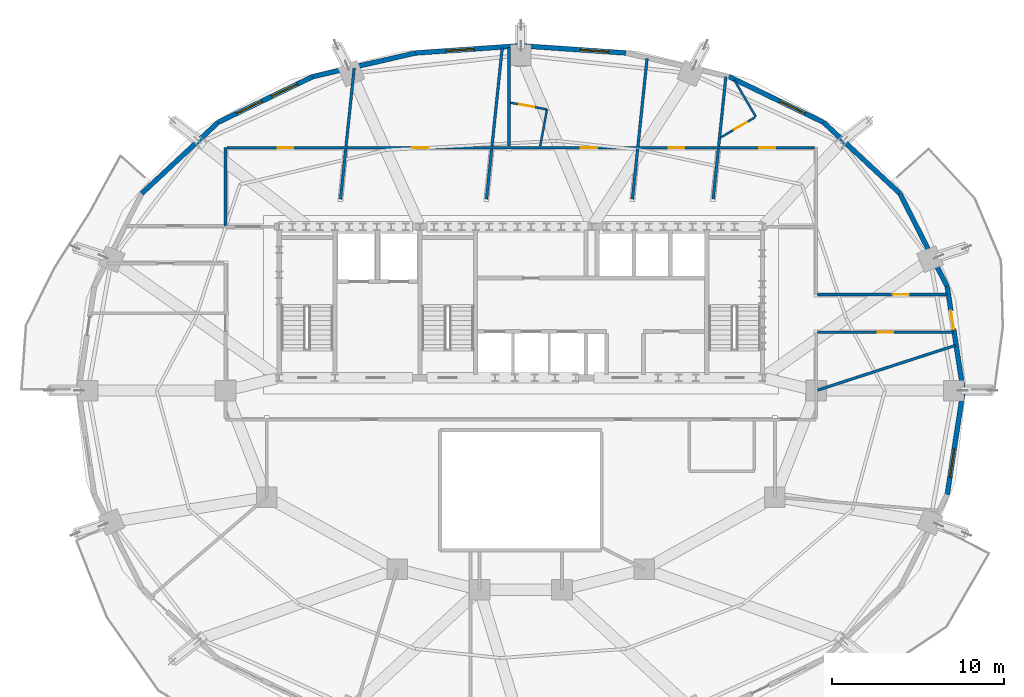
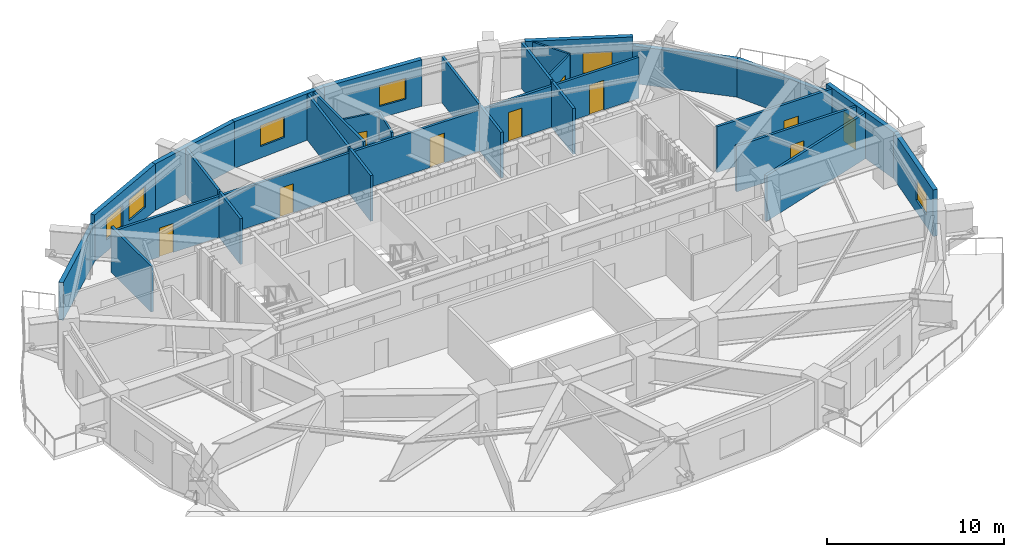
# One storey, part 9 of 14: 28 walls, 10 doors, 6 windows, 16 openings.
"""IFC4 building model written with IfcOpenShell, lengths in metres."""

from ifc_helpers import new_model, si_unit, direction, frame, frame_2d, origin, place, context, subcontext, project, spatial, rectangle, extrude, material, layer, layer_set, type_object, element, fill, save


model = new_model("IFC4")

# Units and contexts
model_context = context("Model", 3, precision=1e-05, world=origin(), true_north=direction((0.0, 1.0)))
body_context = subcontext(model_context, "Body", "Model", "MODEL_VIEW")
ifc_project = project(units=[si_unit("LENGTHUNIT", "METRE"), si_unit("AREAUNIT", "SQUARE_METRE"), si_unit("VOLUMEUNIT", "CUBIC_METRE"), si_unit("PLANEANGLEUNIT", "RADIAN"), si_unit("MASSUNIT", "GRAM", prefix="KILO")], contexts=[model_context])

# Site, building, storey
site_placement = place(None, origin())
site = spatial("IfcSite", under=ifc_project, at=site_placement, CompositionType="ELEMENT")
building_placement = place(site_placement, origin())
building = spatial("IfcBuilding", under=site, at=building_placement, Name="Haldorwick Loom Tower", CompositionType="ELEMENT")
storey_placement = place(building_placement, frame((0.0, 0.0, 182.050048828125)))
storey = spatial("IfcBuildingStorey", under=building, at=storey_placement, Name="L49", CompositionType="ELEMENT", Elevation=182.050048828125)

# Wall, opening, door
ifc_material_1 = material(Name="Pressed Clay Face Brick and Insulated Masonry Backup Assembly", Category="masonry")
ifc_layer_1 = layer(ifc_material_1, 0.280029296875, Name="Pressed Clay Face Brick and Insulated Masonry Backup Assembly", Category="masonry")
ifc_layer_set_1 = layer_set([ifc_layer_1], Name="Pressed Clay Face Brick and Insulated Masonry Backup Assembly")
wall_type_1 = type_object("IfcWallType", Name="ARC-WL-EXT280", PredefinedType="STANDARD", material=ifc_layer_set_1)
wall_1_placement = place(storey_placement, frame((61.757080078125, 26.0, 0.0), z_axis=(0.0, 0.0, 1.0), x_axis=(-0.150544467684, 0.988603238539, 0.0)))
wall_1 = element("IfcWall", 1, at=wall_1_placement, inside=storey, type_object=wall_type_1, Name="L49 Brick Pier and Spandrel Wall 1", PredefinedType="STANDARD", context=body_context, shape_type="SweptSolid", body=[
    extrude(rectangle(XDim=6.125244140625, YDim=0.280029296875, at=frame_2d((3.0625, 0.0))), origin(), (0.0, 0.0, 1.0), 3.2099609375),
])
opening_1_placement = place(wall_1_placement, frame((3.62890625, 0.0, 0.0)))
opening_1 = element("IfcOpeningElement", 2, at=opening_1_placement, cuts=wall_1, Name="Opening D-BL11", PredefinedType="OPENING", context=body_context, shape_type="SweptSolid", body=[
    extrude(rectangle(XDim=1.080078125, YDim=2.0400390625, at=frame_2d((0.5400390625, 1.02001953125))), frame((0.0, 0.14990234375, 0.0), z_axis=(0.0, -1.0, 0.0), x_axis=(1.0, 0.0, 0.0)), (0.0, 0.0, 1.0), 0.300048828125),
])
ifc_material_2 = material(Name="Thermally Broken Anodized Aluminium Curtain Wall Framing", Category="aluminium")
door_type_1 = type_object("IfcDoorType", Name="ARC-DR-BAL110", OperationType="NOTDEFINED", PredefinedType="DOOR", material=ifc_material_2)
door_1_placement = place(opening_1_placement, origin())
door_1 = element("IfcDoor", 3, at=door_1_placement, inside=storey, type_object=door_type_1, Name="L49 Outdoor Terrace Door SLB-L49-BAL_ENE", OperationType="SINGLE_SWING_LEFT", OverallHeight=2.0400390625, OverallWidth=1.080078125, PredefinedType="DOOR", context=body_context, shape_type="SweptSolid", body=[
    extrude(rectangle(XDim=1.080078125, YDim=2.0400390625, at=frame_2d((0.5400390625, 1.02001953125))), frame((0.0, 0.02490234375, 0.0), z_axis=(0.0, -1.0, 0.0), x_axis=(1.0, 0.0, 0.0)), (0.0, 0.0, 1.0), 0.050048828125),
])
fill(opening_1, door_1)

# Walls
wall_2_placement = place(storey_placement, frame((60.8349609375, 32.055419921875, 0.0), z_axis=(0.0, 0.0, 1.0), x_axis=(-0.453172129629, 0.89142303141, 0.0)))
element("IfcWall", 4, at=wall_2_placement, inside=storey, type_object=wall_type_1, Name="L49 Brick Pier and Spandrel Wall 2", PredefinedType="STANDARD", context=body_context, shape_type="SweptSolid", body=[
    extrude(rectangle(XDim=6.086669921875, YDim=0.280029296875, at=frame_2d((3.04345703125, 0.0))), origin(), (0.0, 0.0, 1.0), 2.600830078125),
])
wall_3_placement = place(storey_placement, frame((58.07666015625, 37.481201171875, 0.0), z_axis=(0.0, 0.0, 1.0), x_axis=(-0.732001571644, 0.681302942244, 0.0)))
element("IfcWall", 5, at=wall_3_placement, inside=storey, type_object=wall_type_1, Name="L49 Brick Pier and Spandrel Wall 3", PredefinedType="STANDARD", context=body_context, shape_type="SweptSolid", body=[
    extrude(rectangle(XDim=6.0869140625, YDim=0.280029296875, at=frame_2d((3.04345703125, 0.0))), origin(), (0.0, 0.0, 1.0), 2.600830078125),
])

# Wall, opening, window
wall_4_placement = place(storey_placement, frame((53.62109375, 41.628173828125, 0.0), z_axis=(0.0, 0.0, 1.0), x_axis=(-0.900472429216, 0.43491309962, 0.0)))
wall_4 = element("IfcWall", 6, at=wall_4_placement, inside=storey, type_object=wall_type_1, Name="L49 Brick Pier and Spandrel Wall 4", PredefinedType="STANDARD", context=body_context, shape_type="SweptSolid", body=[
    extrude(rectangle(XDim=6.1181640625, YDim=0.280029296875, at=frame_2d((3.05908203125, 0.0))), origin(), (0.0, 0.0, 1.0), 3.2099609375),
])
opening_2_placement = place(wall_4_placement, frame((1.181884765625, 0.0, 0.800048828125)))
opening_2 = element("IfcOpeningElement", 7, at=opening_2_placement, cuts=wall_4, Name="Opening W-01B", PredefinedType="OPENING", context=body_context, shape_type="SweptSolid", body=[
    extrude(rectangle(XDim=1.64990234375, YDim=1.449951171875, at=frame_2d((0.824951171875, 0.72509765625))), frame((0.0, 0.14990234375, 0.0), z_axis=(0.0, -1.0, 0.0), x_axis=(1.0, 0.0, 0.0)), (0.0, 0.0, 1.0), 0.300048828125),
])
ifc_material_3 = material(Name="Triple-Glazed Low-E Argon Insulated Glazing Unit", Category="glass")
window_type = type_object("IfcWindowType", Name="ARC-WIN-W165", PartitioningType="SINGLE_PANEL", PredefinedType="WINDOW", material=ifc_material_3)
window_1_placement = place(opening_2_placement, origin())
window_1 = element("IfcWindow", 8, at=window_1_placement, inside=storey, type_object=window_type, Name="L49 Deep-Set Zone 7A Window 4", OverallHeight=1.449951171875, OverallWidth=1.64990234375, PartitioningType="SINGLE_PANEL", PredefinedType="WINDOW", context=body_context, shape_type="SweptSolid", body=[
    extrude(rectangle(XDim=1.64990234375, YDim=1.449951171875, at=frame_2d((0.824951171875, 0.72509765625))), frame((0.0, 0.030029296875, 0.0), z_axis=(0.0, -1.0, 0.0), x_axis=(1.0, 0.0, 0.0)), (0.0, 0.0, 1.0), 0.06005859375),
])
fill(opening_2, window_1)

wall_5_placement = place(storey_placement, frame((42.12890625, 45.6640625, 0.0), z_axis=(0.0, 0.0, 1.0), x_axis=(-0.997652942988, 0.068473391522, 0.0)))
wall_5 = element("IfcWall", 9, at=wall_5_placement, inside=storey, type_object=wall_type_1, Name="L49 Brick Pier and Spandrel Wall 6", PredefinedType="STANDARD", context=body_context, shape_type="SweptSolid", body=[
    extrude(rectangle(XDim=6.143310546875, YDim=0.280029296875, at=frame_2d((3.07177734375, 0.0))), origin(), (0.0, 0.0, 1.0), 3.2099609375),
])
opening_3_placement = place(wall_5_placement, frame((1.01806640625, 0.0, 0.800048828125)))
opening_3 = element("IfcOpeningElement", 10, at=opening_3_placement, cuts=wall_5, Name="Opening W-01B", PredefinedType="OPENING", context=body_context, shape_type="SweptSolid", body=[
    extrude(rectangle(XDim=1.64990234375, YDim=1.449951171875, at=frame_2d((0.824951171875, 0.72509765625))), frame((0.0, 0.14990234375, 0.0), z_axis=(0.0, -1.0, 0.0), x_axis=(1.0, 0.0, 0.0)), (0.0, 0.0, 1.0), 0.300048828125),
])
window_2_placement = place(opening_3_placement, origin())
window_2 = element("IfcWindow", 11, at=window_2_placement, inside=storey, type_object=window_type, Name="L49 Deep-Set Zone 7A Window 6", OverallHeight=1.449951171875, OverallWidth=1.64990234375, PartitioningType="SINGLE_PANEL", PredefinedType="WINDOW", context=body_context, shape_type="SweptSolid", body=[
    extrude(rectangle(XDim=1.64990234375, YDim=1.449951171875, at=frame_2d((0.824951171875, 0.72509765625))), frame((0.0, 0.030029296875, 0.0), z_axis=(0.0, -1.0, 0.0), x_axis=(1.0, 0.0, 0.0)), (0.0, 0.0, 1.0), 0.06005859375),
])
fill(opening_3, window_2)

wall_6_placement = place(storey_placement, frame((36.0, 46.084716796875, 0.0), z_axis=(0.0, 0.0, 1.0), x_axis=(-0.997652942988, -0.068473391522, 0.0)))
wall_6 = element("IfcWall", 12, at=wall_6_placement, inside=storey, type_object=wall_type_1, Name="L49 Brick Pier and Spandrel Wall 7", PredefinedType="STANDARD", context=body_context, shape_type="SweptSolid", body=[
    extrude(rectangle(XDim=6.143310546875, YDim=0.280029296875, at=frame_2d((3.07177734375, 0.0))), origin(), (0.0, 0.0, 1.0), 3.2099609375),
])
opening_4_placement = place(wall_6_placement, frame((2.723388671875, 0.0, 0.800048828125)))
opening_4 = element("IfcOpeningElement", 13, at=opening_4_placement, cuts=wall_6, Name="Opening W-01B", PredefinedType="OPENING", context=body_context, shape_type="SweptSolid", body=[
    extrude(rectangle(XDim=1.64990234375, YDim=1.449951171875, at=frame_2d((0.824951171875, 0.72509765625))), frame((0.0, 0.14990234375, 0.0), z_axis=(0.0, -1.0, 0.0), x_axis=(1.0, 0.0, 0.0)), (0.0, 0.0, 1.0), 0.300048828125),
])
window_3_placement = place(opening_4_placement, origin())
window_3 = element("IfcWindow", 14, at=window_3_placement, inside=storey, type_object=window_type, Name="L49 Deep-Set Zone 7A Window 7", OverallHeight=1.449951171875, OverallWidth=1.64990234375, PartitioningType="SINGLE_PANEL", PredefinedType="WINDOW", context=body_context, shape_type="SweptSolid", body=[
    extrude(rectangle(XDim=1.64990234375, YDim=1.449951171875, at=frame_2d((0.824951171875, 0.72509765625))), frame((0.0, 0.030029296875, 0.0), z_axis=(0.0, -1.0, 0.0), x_axis=(1.0, 0.0, 0.0)), (0.0, 0.0, 1.0), 0.06005859375),
])
fill(opening_4, window_3)

# Wall
wall_7_placement = place(storey_placement, frame((29.87109375, 45.6640625, 0.0), z_axis=(0.0, 0.0, 1.0), x_axis=(-0.974593223547, -0.223982250674, 0.0)))
element("IfcWall", 15, at=wall_7_placement, inside=storey, type_object=wall_type_1, Name="L49 Brick Pier and Spandrel Wall 8", PredefinedType="STANDARD", context=body_context, shape_type="SweptSolid", body=[
    extrude(rectangle(XDim=6.138916015625, YDim=0.280029296875, at=frame_2d((3.0693359375, 0.0))), origin(), (0.0, 0.0, 1.0), 3.2099609375),
])

# Wall, openings, windows
wall_8_placement = place(storey_placement, frame((23.88818359375, 44.2890625, 0.0), z_axis=(0.0, 0.0, 1.0), x_axis=(-0.900479976617, -0.434897472644, 0.0)))
wall_8 = element("IfcWall", 16, at=wall_8_placement, inside=storey, type_object=wall_type_1, Name="L49 Brick Pier and Spandrel Wall 9", PredefinedType="STANDARD", context=body_context, shape_type="SweptSolid", body=[
    extrude(rectangle(XDim=6.118408203125, YDim=0.280029296875, at=frame_2d((3.05908203125, 0.0))), origin(), (0.0, 0.0, 1.0), 3.2099609375),
])
opening_5_placement = place(wall_8_placement, frame((1.010498046875, 0.0, 0.800048828125)))
opening_5 = element("IfcOpeningElement", 17, at=opening_5_placement, cuts=wall_8, Name="Opening W-01B", PredefinedType="OPENING", context=body_context, shape_type="SweptSolid", body=[
    extrude(rectangle(XDim=1.64990234375, YDim=1.449951171875, at=frame_2d((0.824951171875, 0.72509765625))), frame((0.0, 0.14990234375, 0.0), z_axis=(0.0, -1.0, 0.0), x_axis=(1.0, 0.0, 0.0)), (0.0, 0.0, 1.0), 0.300048828125),
])
opening_6_placement = place(wall_8_placement, frame((3.28662109375, 0.0, 0.800048828125)))
opening_6 = element("IfcOpeningElement", 18, at=opening_6_placement, cuts=wall_8, Name="Opening W-01B", PredefinedType="OPENING", context=body_context, shape_type="SweptSolid", body=[
    extrude(rectangle(XDim=1.64990234375, YDim=1.449951171875, at=frame_2d((0.824951171875, 0.72509765625))), frame((0.0, 0.14990234375, 0.0), z_axis=(0.0, -1.0, 0.0), x_axis=(1.0, 0.0, 0.0)), (0.0, 0.0, 1.0), 0.300048828125),
])
window_4_placement = place(opening_5_placement, origin())
window_4 = element("IfcWindow", 19, at=window_4_placement, inside=storey, type_object=window_type, Name="L49 Deep-Set Zone 7A Window 9", OverallHeight=1.449951171875, OverallWidth=1.64990234375, PartitioningType="SINGLE_PANEL", PredefinedType="WINDOW", context=body_context, shape_type="SweptSolid", body=[
    extrude(rectangle(XDim=1.64990234375, YDim=1.449951171875, at=frame_2d((0.824951171875, 0.72509765625))), frame((0.0, 0.030029296875, 0.0), z_axis=(0.0, -1.0, 0.0), x_axis=(1.0, 0.0, 0.0)), (0.0, 0.0, 1.0), 0.06005859375),
])
fill(opening_5, window_4)
window_5_placement = place(opening_6_placement, origin())
window_5 = element("IfcWindow", 20, at=window_5_placement, inside=storey, type_object=window_type, Name="L49 Deep-Set Zone 7A Window 9", OverallHeight=1.449951171875, OverallWidth=1.64990234375, PartitioningType="SINGLE_PANEL", PredefinedType="WINDOW", context=body_context, shape_type="SweptSolid", body=[
    extrude(rectangle(XDim=1.64990234375, YDim=1.449951171875, at=frame_2d((0.824951171875, 0.72509765625))), frame((0.0, 0.030029296875, 0.0), z_axis=(0.0, -1.0, 0.0), x_axis=(1.0, 0.0, 0.0)), (0.0, 0.0, 1.0), 0.06005859375),
])
fill(opening_6, window_5)

# Wall
wall_9_placement = place(storey_placement, frame((18.378662109375, 41.628173828125, 0.0), z_axis=(0.0, 0.0, 1.0), x_axis=(-0.731982952968, -0.681322945866, 0.0)))
element("IfcWall", 21, at=wall_9_placement, inside=storey, type_object=wall_type_1, Name="L49 Brick Pier and Spandrel Wall 10", PredefinedType="STANDARD", context=body_context, shape_type="SweptSolid", body=[
    extrude(rectangle(XDim=6.086669921875, YDim=0.280029296875, at=frame_2d((3.04345703125, 0.0))), origin(), (0.0, 0.0, 1.0), 2.600830078125),
])

# Wall, opening, window
wall_10_placement = place(storey_placement, frame((60.8349609375, 19.944580078125, 0.0), z_axis=(0.0, 0.0, 1.0), x_axis=(0.150544467684, 0.988603238539, 0.0)))
wall_10 = element("IfcWall", 22, at=wall_10_placement, inside=storey, type_object=wall_type_1, Name="L49 Brick Pier and Spandrel Wall 24", PredefinedType="STANDARD", context=body_context, shape_type="SweptSolid", body=[
    extrude(rectangle(XDim=6.125244140625, YDim=0.280029296875, at=frame_2d((3.0625, 0.0))), origin(), (0.0, 0.0, 1.0), 3.2099609375),
])
opening_7_placement = place(wall_10_placement, frame((1.0126953125, 0.0, 0.800048828125)))
opening_7 = element("IfcOpeningElement", 23, at=opening_7_placement, cuts=wall_10, Name="Opening W-01B", PredefinedType="OPENING", context=body_context, shape_type="SweptSolid", body=[
    extrude(rectangle(XDim=1.64990234375, YDim=1.449951171875, at=frame_2d((0.824951171875, 0.72509765625))), frame((0.0, 0.14990234375, 0.0), z_axis=(0.0, -1.0, 0.0), x_axis=(1.0, 0.0, 0.0)), (0.0, 0.0, 1.0), 0.300048828125),
])
window_6_placement = place(opening_7_placement, origin())
window_6 = element("IfcWindow", 24, at=window_6_placement, inside=storey, type_object=window_type, Name="L49 Deep-Set Zone 7A Window 24", OverallHeight=1.449951171875, OverallWidth=1.64990234375, PartitioningType="SINGLE_PANEL", PredefinedType="WINDOW", context=body_context, shape_type="SweptSolid", body=[
    extrude(rectangle(XDim=1.64990234375, YDim=1.449951171875, at=frame_2d((0.824951171875, 0.72509765625))), frame((0.0, 0.030029296875, 0.0), z_axis=(0.0, -1.0, 0.0), x_axis=(1.0, 0.0, 0.0)), (0.0, 0.0, 1.0), 0.06005859375),
])
fill(opening_7, window_6)

# Wall
ifc_material_4 = material(Name="Fire-Rated Type X Gypsum Stud Assembly EI 60")
ifc_layer_2 = layer(ifc_material_4, 0.159912109375, Name="Fire-Rated Type X Gypsum Stud Assembly EI 60")
ifc_layer_set_2 = layer_set([ifc_layer_2], Name="Fire-Rated Type X Gypsum Stud Assembly EI 60")
wall_type_2 = type_object("IfcWallType", Name="ARC-WL-FIRE160", PredefinedType="PARTITIONING", material=ifc_layer_set_2)
wall_11_placement = place(storey_placement, frame((18.800048828125, 35.60009765625, 0.0), z_axis=(0.0, 0.0, 1.0), x_axis=(0.0, 1.0, 0.0)))
element("IfcWall", 25, at=wall_11_placement, inside=storey, type_object=wall_type_2, Name="L49 Residential Fire Partition L49-CR-W0B", PredefinedType="PARTITIONING", context=body_context, shape_type="SweptSolid", body=[
    extrude(rectangle(XDim=4.5498046875, YDim=0.159912109375, at=frame_2d((2.27490234375, 0.0))), origin(), (0.0, 0.0, 1.0), 3.155029296875),
])

# Wall, opening, door
wall_12_placement = place(storey_placement, frame((53.282958984375, 29.39990234375, 0.0), z_axis=(0.0, 0.0, 1.0), x_axis=(1.0, 0.0, 0.0)))
wall_12 = element("IfcWall", 26, at=wall_12_placement, inside=storey, type_object=wall_type_2, Name="L49 Residential Fire Partition L49-CR-GE0", PredefinedType="PARTITIONING", context=body_context, shape_type="SweptSolid", body=[
    extrude(rectangle(XDim=7.91064453125, YDim=0.159912109375, at=frame_2d((3.955322265625, 0.0))), origin(), (0.0, 0.0, 1.0), 3.155029296875),
])
opening_8_placement = place(wall_12_placement, frame((3.50537109375, 0.0, 0.0)))
opening_8 = element("IfcOpeningElement", 27, at=opening_8_placement, cuts=wall_12, Name="Opening D-FD60A", PredefinedType="OPENING", context=body_context, shape_type="SweptSolid", body=[
    extrude(rectangle(XDim=0.89990234375, YDim=2.0, at=frame_2d((0.449951171875, 1.0))), frame((0.0, 0.08984375, 0.0), z_axis=(0.0, -1.0, 0.0), x_axis=(1.0, 0.0, 0.0)), (0.0, 0.0, 1.0), 0.179931640625),
])
ifc_material_5 = material(Name="Hollow Steel Fire Door Assembly", Category="steel")
door_type_2 = type_object("IfcDoorType", Name="ARC-DR-FD60-90", OperationType="NOTDEFINED", PredefinedType="DOOR", material=ifc_material_5)
door_2_placement = place(opening_8_placement, origin())
door_2 = element("IfcDoor", 28, at=door_2_placement, inside=storey, type_object=door_type_2, Name="L49 L49 Central Residential Corridor to Craft Hobby Hall 2 Door", OperationType="SINGLE_SWING_LEFT", OverallHeight=2.0, OverallWidth=0.89990234375, PredefinedType="DOOR", context=body_context, shape_type="SweptSolid", body=[
    extrude(rectangle(XDim=0.89990234375, YDim=2.0, at=frame_2d((0.449951171875, 1.0))), frame((0.0, 0.02490234375, 0.0), z_axis=(0.0, -1.0, 0.0), x_axis=(1.0, 0.0, 0.0)), (0.0, 0.0, 1.0), 0.050048828125),
])
fill(opening_8, door_2)

wall_13_placement = place(storey_placement, frame((53.282958984375, 31.60009765625, 0.0), z_axis=(0.0, 0.0, 1.0), x_axis=(1.0, 0.0, 0.0)))
wall_13 = element("IfcWall", 29, at=wall_13_placement, inside=storey, type_object=wall_type_2, Name="L49 Residential Fire Partition L49-CR-GE1", PredefinedType="PARTITIONING", context=body_context, shape_type="SweptSolid", body=[
    extrude(rectangle(XDim=7.57568359375, YDim=0.159912109375, at=frame_2d((3.787841796875, 0.0))), origin(), (0.0, 0.0, 1.0), 3.155029296875),
])
opening_9_placement = place(wall_13_placement, frame((4.364013671875, 0.0, 0.0)))
opening_9 = element("IfcOpeningElement", 30, at=opening_9_placement, cuts=wall_13, Name="Opening D-FL95", PredefinedType="OPENING", context=body_context, shape_type="SweptSolid", body=[
    extrude(rectangle(XDim=0.949951171875, YDim=2.0400390625, at=frame_2d((0.47509765625, 1.02001953125))), frame((0.0, 0.08984375, 0.0), z_axis=(0.0, -1.0, 0.0), x_axis=(1.0, 0.0, 0.0)), (0.0, 0.0, 1.0), 0.179931640625),
])
ifc_material_6 = material(Name="Solid Core Birch Architectural Door")
door_type_3 = type_object("IfcDoorType", Name="ARC-DR-FLAT95", OperationType="NOTDEFINED", PredefinedType="DOOR", material=ifc_material_6)
door_3_placement = place(opening_9_placement, frame((0.949951171875, 0.0, 0.0), z_axis=(0.0, 0.0, 1.0), x_axis=(-1.0, 0.0, 0.0)))
door_3 = element("IfcDoor", 31, at=door_3_placement, inside=storey, type_object=door_type_3, Name="L49 Unit 49B Kitchen and Studio Living Room to L49 Central Residential C", OperationType="SINGLE_SWING_RIGHT", OverallHeight=2.0400390625, OverallWidth=0.949951171875, PredefinedType="DOOR", context=body_context, shape_type="SweptSolid", body=[
    extrude(rectangle(XDim=0.949951171875, YDim=2.0400390625, at=frame_2d((0.47509765625, 1.02001953125))), frame((0.0, 0.02490234375, 0.0), z_axis=(0.0, -1.0, 0.0), x_axis=(1.0, 0.0, 0.0)), (0.0, 0.0, 1.0), 0.050048828125),
])
fill(opening_9, door_3)

# Wall, openings, doors
wall_14_placement = place(storey_placement, frame((18.883056640625, 40.14990234375, 0.0), z_axis=(0.0, 0.0, 1.0), x_axis=(1.0, 0.0, 0.0)))
wall_14 = element("IfcWall", 32, at=wall_14_placement, inside=storey, type_object=wall_type_2, Name="L49 Residential Fire Partition L49-CR-N0", PredefinedType="PARTITIONING", context=body_context, shape_type="SweptSolid", body=[
    extrude(rectangle(XDim=34.23388671875, YDim=0.159912109375, at=frame_2d((17.116943359375, 0.0))), origin(), (0.0, 0.0, 1.0), 2.83203125),
])
opening_10_placement = place(wall_14_placement, frame((10.814208984375, 0.0, 0.0)))
opening_10 = element("IfcOpeningElement", 33, at=opening_10_placement, cuts=wall_14, Name="Opening D-FD60A", PredefinedType="OPENING", context=body_context, shape_type="SweptSolid", body=[
    extrude(rectangle(XDim=0.89990234375, YDim=2.0, at=frame_2d((0.449951171875, 1.0))), frame((0.0, 0.08984375, 0.0), z_axis=(0.0, -1.0, 0.0), x_axis=(1.0, 0.0, 0.0)), (0.0, 0.0, 1.0), 0.179931640625),
])
opening_11_placement = place(wall_14_placement, frame((2.973388671875, 0.0, 0.0)))
opening_11 = element("IfcOpeningElement", 34, at=opening_11_placement, cuts=wall_14, Name="Opening D-FD60A", PredefinedType="OPENING", context=body_context, shape_type="SweptSolid", body=[
    extrude(rectangle(XDim=0.89990234375, YDim=2.0, at=frame_2d((0.449951171875, 1.0))), frame((0.0, 0.08984375, 0.0), z_axis=(0.0, -1.0, 0.0), x_axis=(1.0, 0.0, 0.0)), (0.0, 0.0, 1.0), 0.179931640625),
])
opening_12_placement = place(wall_14_placement, frame((20.61767578125, 0.0, 0.0)))
opening_12 = element("IfcOpeningElement", 35, at=opening_12_placement, cuts=wall_14, Name="Opening D-FL95", PredefinedType="OPENING", context=body_context, shape_type="SweptSolid", body=[
    extrude(rectangle(XDim=0.949951171875, YDim=2.0400390625, at=frame_2d((0.47509765625, 1.02001953125))), frame((0.0, 0.08984375, 0.0), z_axis=(0.0, -1.0, 0.0), x_axis=(1.0, 0.0, 0.0)), (0.0, 0.0, 1.0), 0.179931640625),
])
opening_13_placement = place(wall_14_placement, frame((30.998291015625, 0.0, 0.0)))
opening_13 = element("IfcOpeningElement", 36, at=opening_13_placement, cuts=wall_14, Name="Opening D-FL95", PredefinedType="OPENING", context=body_context, shape_type="SweptSolid", body=[
    extrude(rectangle(XDim=0.949951171875, YDim=2.0400390625, at=frame_2d((0.47509765625, 1.02001953125))), frame((0.0, 0.08984375, 0.0), z_axis=(0.0, -1.0, 0.0), x_axis=(1.0, 0.0, 0.0)), (0.0, 0.0, 1.0), 0.179931640625),
])
opening_14_placement = place(wall_14_placement, frame((25.722412109375, 0.0, 0.0)))
opening_14 = element("IfcOpeningElement", 37, at=opening_14_placement, cuts=wall_14, Name="Opening D-FD60A", PredefinedType="OPENING", context=body_context, shape_type="SweptSolid", body=[
    extrude(rectangle(XDim=0.89990234375, YDim=2.0, at=frame_2d((0.449951171875, 1.0))), frame((0.0, 0.08984375, 0.0), z_axis=(0.0, -1.0, 0.0), x_axis=(1.0, 0.0, 0.0)), (0.0, 0.0, 1.0), 0.179931640625),
])
door_4_placement = place(opening_10_placement, frame((0.89990234375, 0.0, 0.0), z_axis=(0.0, 0.0, 1.0), x_axis=(-1.0, 0.0, 0.0)))
door_4 = element("IfcDoor", 38, at=door_4_placement, inside=storey, type_object=door_type_2, Name="L49 Community Library Hall 4 to L49 North Residential Corridor Door", OperationType="SINGLE_SWING_RIGHT", OverallHeight=2.0, OverallWidth=0.89990234375, PredefinedType="DOOR", context=body_context, shape_type="SweptSolid", body=[
    extrude(rectangle(XDim=0.89990234375, YDim=2.0, at=frame_2d((0.449951171875, 1.0))), frame((0.0, 0.02490234375, 0.0), z_axis=(0.0, -1.0, 0.0), x_axis=(1.0, 0.0, 0.0)), (0.0, 0.0, 1.0), 0.050048828125),
])
fill(opening_10, door_4)
door_5_placement = place(opening_11_placement, frame((0.89990234375, 0.0, 0.0), z_axis=(0.0, 0.0, 1.0), x_axis=(-1.0, 0.0, 0.0)))
door_5 = element("IfcDoor", 39, at=door_5_placement, inside=storey, type_object=door_type_2, Name="L49 Community Library Hall 3 to L49 North Residential Corridor Door", OperationType="SINGLE_SWING_LEFT", OverallHeight=2.0, OverallWidth=0.89990234375, PredefinedType="DOOR", context=body_context, shape_type="SweptSolid", body=[
    extrude(rectangle(XDim=0.89990234375, YDim=2.0, at=frame_2d((0.449951171875, 1.0))), frame((0.0, 0.02490234375, 0.0), z_axis=(0.0, -1.0, 0.0), x_axis=(1.0, 0.0, 0.0)), (0.0, 0.0, 1.0), 0.050048828125),
])
fill(opening_11, door_5)
door_6_placement = place(opening_14_placement, frame((0.89990234375, 0.0, 0.0), z_axis=(0.0, 0.0, 1.0), x_axis=(-1.0, 0.0, 0.0)))
door_6 = element("IfcDoor", 40, at=door_6_placement, inside=storey, type_object=door_type_2, Name="L49 Resident Study Room 9 to L49 North Residential Corridor Door", OperationType="SINGLE_SWING_LEFT", OverallHeight=2.0, OverallWidth=0.89990234375, PredefinedType="DOOR", context=body_context, shape_type="SweptSolid", body=[
    extrude(rectangle(XDim=0.89990234375, YDim=2.0, at=frame_2d((0.449951171875, 1.0))), frame((0.0, 0.02490234375, 0.0), z_axis=(0.0, -1.0, 0.0), x_axis=(1.0, 0.0, 0.0)), (0.0, 0.0, 1.0), 0.050048828125),
])
fill(opening_14, door_6)
door_7_placement = place(opening_12_placement, frame((0.949951171875, 0.0, 0.0), z_axis=(0.0, 0.0, 1.0), x_axis=(-1.0, 0.0, 0.0)))
door_7 = element("IfcDoor", 41, at=door_7_placement, inside=storey, type_object=door_type_3, Name="L49 Unit 49E Kitchen and Studio Living Room to L49 North Residential Cor", OperationType="SINGLE_SWING_LEFT", OverallHeight=2.0400390625, OverallWidth=0.949951171875, PredefinedType="DOOR", context=body_context, shape_type="SweptSolid", body=[
    extrude(rectangle(XDim=0.949951171875, YDim=2.0400390625, at=frame_2d((0.47509765625, 1.02001953125))), frame((0.0, 0.02490234375, 0.0), z_axis=(0.0, -1.0, 0.0), x_axis=(1.0, 0.0, 0.0)), (0.0, 0.0, 1.0), 0.050048828125),
])
fill(opening_12, door_7)
door_8_placement = place(opening_13_placement, origin())
door_8 = element("IfcDoor", 42, at=door_8_placement, inside=storey, type_object=door_type_3, Name="L49 Unit 49B Kitchen and Studio Living Room to L49 North Residential Cor", OperationType="SINGLE_SWING_RIGHT", OverallHeight=2.0400390625, OverallWidth=0.949951171875, PredefinedType="DOOR", context=body_context, shape_type="SweptSolid", body=[
    extrude(rectangle(XDim=0.949951171875, YDim=2.0400390625, at=frame_2d((0.47509765625, 1.02001953125))), frame((0.0, 0.02490234375, 0.0), z_axis=(0.0, -1.0, 0.0), x_axis=(1.0, 0.0, 0.0)), (0.0, 0.0, 1.0), 0.050048828125),
])
fill(opening_13, door_8)

# Walls
wall_15_placement = place(storey_placement, frame((53.282958984375, 26.027099609375, 0.0), z_axis=(0.0, 0.0, 1.0), x_axis=(0.951059573273, 0.309007585805, 0.0)))
element("IfcWall", 43, at=wall_15_placement, inside=storey, type_object=wall_type_2, Name="L49 Residential Fire Partition L49-ICR-01", PredefinedType="PARTITIONING", context=body_context, shape_type="SweptSolid", body=[
    extrude(rectangle(XDim=8.4404296875, YDim=0.159912109375, at=frame_2d((4.22021484375, 0.0))), origin(), (0.0, 0.0, 1.0), 3.155029296875),
])
wall_16_placement = place(storey_placement, frame((35.31494140625, 40.23291015625, 0.0), z_axis=(0.0, 0.0, 1.0), x_axis=(0.0, 1.0, 0.0)))
element("IfcWall", 44, at=wall_16_placement, inside=storey, type_object=wall_type_2, Name="L49 Residential Fire Partition L49-NBP-0", PredefinedType="PARTITIONING", context=body_context, shape_type="SweptSolid", body=[
    extrude(rectangle(XDim=5.759521484375, YDim=0.159912109375, at=frame_2d((2.8798828125, 0.0))), origin(), (0.0, 0.0, 1.0), 3.155029296875),
])
wall_17_placement = place(storey_placement, frame((25.5, 37.14990234375, 0.0), z_axis=(0.0, 0.0, 1.0), x_axis=(0.103558045218, 0.994623411785, 0.0)))
element("IfcWall", 45, at=wall_17_placement, inside=storey, type_object=wall_type_2, Name="L49 Residential Fire Partition L49-UPN-11", PredefinedType="PARTITIONING", context=body_context, shape_type="SweptSolid", body=[
    extrude(rectangle(XDim=2.932861328125, YDim=0.159912109375, at=frame_2d((1.46630859375, 0.0))), origin(), (0.0, 0.0, 1.0), 3.155029296875),
])
wall_18_placement = place(storey_placement, frame((25.821044921875, 40.23291015625, 0.0), z_axis=(0.0, 0.0, 1.0), x_axis=(0.103601697612, 0.994618865823, 0.0)))
element("IfcWall", 46, at=wall_18_placement, inside=storey, type_object=wall_type_2, Name="L49 Residential Fire Partition L49-UPN-11", PredefinedType="PARTITIONING", context=body_context, shape_type="SweptSolid", body=[
    extrude(rectangle(XDim=4.588134765625, YDim=0.159912109375, at=frame_2d((2.2939453125, 0.0))), origin(), (0.0, 0.0, 1.0), 3.155029296875),
])
wall_19_placement = place(storey_placement, frame((34.0, 37.14990234375, 0.0), z_axis=(0.0, 0.0, 1.0), x_axis=(0.103558045218, 0.994623411785, 0.0)))
element("IfcWall", 47, at=wall_19_placement, inside=storey, type_object=wall_type_2, Name="L49 Residential Fire Partition L49-UPN-12", PredefinedType="PARTITIONING", context=body_context, shape_type="SweptSolid", body=[
    extrude(rectangle(XDim=2.932861328125, YDim=0.159912109375, at=frame_2d((1.46630859375, 0.0))), origin(), (0.0, 0.0, 1.0), 3.155029296875),
])
wall_20_placement = place(storey_placement, frame((34.321044921875, 40.23291015625, 0.0), z_axis=(0.0, 0.0, 1.0), x_axis=(0.103613068508, 0.99461768134, 0.0)))
element("IfcWall", 48, at=wall_20_placement, inside=storey, type_object=wall_type_2, Name="L49 Residential Fire Partition L49-UPN-12", PredefinedType="PARTITIONING", context=body_context, shape_type="SweptSolid", body=[
    extrude(rectangle(XDim=5.763427734375, YDim=0.159912109375, at=frame_2d((2.8818359375, 0.0))), origin(), (0.0, 0.0, 1.0), 3.155029296875),
])
wall_21_placement = place(storey_placement, frame((42.5, 37.14990234375, 0.0), z_axis=(0.0, 0.0, 1.0), x_axis=(0.103558045218, 0.994623411785, 0.0)))
element("IfcWall", 49, at=wall_21_placement, inside=storey, type_object=wall_type_2, Name="L49 Residential Fire Partition L49-UPN-13", PredefinedType="PARTITIONING", context=body_context, shape_type="SweptSolid", body=[
    extrude(rectangle(XDim=2.932861328125, YDim=0.159912109375, at=frame_2d((1.46630859375, 0.0))), origin(), (0.0, 0.0, 1.0), 3.155029296875),
])
wall_22_placement = place(storey_placement, frame((42.821044921875, 40.23291015625, 0.0), z_axis=(0.0, 0.0, 1.0), x_axis=(0.103624715012, 0.994616468011, 0.0)))
element("IfcWall", 50, at=wall_22_placement, inside=storey, type_object=wall_type_2, Name="L49 Residential Fire Partition L49-UPN-13", PredefinedType="PARTITIONING", context=body_context, shape_type="SweptSolid", body=[
    extrude(rectangle(XDim=5.13134765625, YDim=0.159912109375, at=frame_2d((2.565673828125, 0.0))), origin(), (0.0, 0.0, 1.0), 3.155029296875),
])
wall_23_placement = place(storey_placement, frame((47.199951171875, 37.14990234375, 0.0), z_axis=(0.0, 0.0, 1.0), x_axis=(0.103640397417, 0.994614834005, 0.0)))
element("IfcWall", 51, at=wall_23_placement, inside=storey, type_object=wall_type_2, Name="L49 Residential Fire Partition L49-UPN-14", PredefinedType="PARTITIONING", context=body_context, shape_type="SweptSolid", body=[
    extrude(rectangle(XDim=2.932861328125, YDim=0.159912109375, at=frame_2d((1.46630859375, 0.0))), origin(), (0.0, 0.0, 1.0), 3.155029296875),
])
wall_24_placement = place(storey_placement, frame((47.52099609375, 40.23291015625, 0.0), z_axis=(0.0, 0.0, 1.0), x_axis=(0.10364193191, 0.994614674108, 0.0)))
element("IfcWall", 52, at=wall_24_placement, inside=storey, type_object=wall_type_2, Name="L49 Residential Fire Partition L49-UPN-14", PredefinedType="PARTITIONING", context=body_context, shape_type="SweptSolid", body=[
    extrude(rectangle(XDim=4.070556640625, YDim=0.159912109375, at=frame_2d((2.03515625, 0.0))), origin(), (0.0, 0.0, 1.0), 3.155029296875),
])
ifc_material_7 = material(Name="Acoustic Gypsum Stud Assembly STC 55")
ifc_layer_3 = layer(ifc_material_7, 0.1201171875, Name="Acoustic Gypsum Stud Assembly STC 55")
ifc_layer_set_3 = layer_set([ifc_layer_3], Name="Acoustic Gypsum Stud Assembly STC 55")
wall_type_3 = type_object("IfcWallType", Name="ARC-WL-PART120", PredefinedType="PARTITIONING", material=ifc_layer_set_3)
wall_25_placement = place(storey_placement, frame((49.68896484375, 41.9462890625, 0.0), z_axis=(0.0, 0.0, 1.0), x_axis=(-0.506020477418, 0.862521464332, 0.0)))
element("IfcWall", 53, at=wall_25_placement, inside=storey, type_object=wall_type_3, Name="L49 Unit 49B Interior Partition", PredefinedType="PARTITIONING", context=body_context, shape_type="SweptSolid", body=[
    extrude(rectangle(XDim=2.47705078125, YDim=0.1201171875, at=frame_2d((1.238525390625, 0.0))), origin(), (0.0, 0.0, 1.0), 3.155029296875),
])

# Wall, opening, door
wall_26_placement = place(storey_placement, frame((47.658935546875, 40.755126953125, 0.0), z_axis=(0.0, 0.0, 1.0), x_axis=(0.86251994411, 0.506023068656, 0.0)))
wall_26 = element("IfcWall", 54, at=wall_26_placement, inside=storey, type_object=wall_type_3, Name="L49 Unit 49B Interior Partition", PredefinedType="PARTITIONING", context=body_context, shape_type="SweptSolid", body=[
    extrude(rectangle(XDim=2.290771484375, YDim=0.1201171875, at=frame_2d((1.1455078125, 0.0))), origin(), (0.0, 0.0, 1.0), 3.155029296875),
])
opening_15_placement = place(wall_26_placement, frame((0.88818359375, 0.0, 0.0)))
opening_15 = element("IfcOpeningElement", 55, at=opening_15_placement, cuts=wall_26, Name="Opening D-BT88", PredefinedType="OPENING", context=body_context, shape_type="SweptSolid", body=[
    extrude(rectangle(XDim=0.8798828125, YDim=2.02001953125, at=frame_2d((0.43994140625, 1.010009765625))), frame((0.0, 0.070068359375, 0.0), z_axis=(0.0, -1.0, 0.0), x_axis=(1.0, 0.0, 0.0)), (0.0, 0.0, 1.0), 0.14013671875),
])
door_type_4 = type_object("IfcDoorType", Name="ARC-DR-BATH88", OperationType="NOTDEFINED", PredefinedType="DOOR", material=ifc_material_6)
door_9_placement = place(opening_15_placement, origin())
door_9 = element("IfcDoor", 56, at=door_9_placement, inside=storey, type_object=door_type_4, Name="L49 Unit 49B Bathroom to Unit 49B Kitchen and Studio Living Room Door", OperationType="SINGLE_SWING_RIGHT", OverallHeight=2.02001953125, OverallWidth=0.8798828125, PredefinedType="DOOR", context=body_context, shape_type="SweptSolid", body=[
    extrude(rectangle(XDim=0.8798828125, YDim=2.02001953125, at=frame_2d((0.43994140625, 1.010009765625))), frame((0.0, 0.02490234375, 0.0), z_axis=(0.0, -1.0, 0.0), x_axis=(1.0, 0.0, 0.0)), (0.0, 0.0, 1.0), 0.050048828125),
])
fill(opening_15, door_9)

wall_27_placement = place(storey_placement, frame((37.524169921875, 42.376220703125, 0.0), z_axis=(0.0, 0.0, 1.0), x_axis=(-0.983418757905, 0.181349239315, 0.0)))
wall_27 = element("IfcWall", 57, at=wall_27_placement, inside=storey, type_object=wall_type_3, Name="L49 Unit 49E Interior Partition", PredefinedType="PARTITIONING", context=body_context, shape_type="SweptSolid", body=[
    extrude(rectangle(XDim=2.162109375, YDim=0.1201171875, at=frame_2d((1.0810546875, 0.0))), origin(), (0.0, 0.0, 1.0), 3.155029296875),
])
opening_16_placement = place(wall_27_placement, frame((0.761474609375, 0.0, 0.0)))
opening_16 = element("IfcOpeningElement", 58, at=opening_16_placement, cuts=wall_27, Name="Opening D-BT88", PredefinedType="OPENING", context=body_context, shape_type="SweptSolid", body=[
    extrude(rectangle(XDim=0.8798828125, YDim=2.02001953125, at=frame_2d((0.43994140625, 1.010009765625))), frame((0.0, 0.070068359375, 0.0), z_axis=(0.0, -1.0, 0.0), x_axis=(1.0, 0.0, 0.0)), (0.0, 0.0, 1.0), 0.14013671875),
])
door_10_placement = place(opening_16_placement, origin())
door_10 = element("IfcDoor", 59, at=door_10_placement, inside=storey, type_object=door_type_4, Name="L49 Unit 49E Bathroom to Unit 49E Kitchen and Studio Living Room Door", OperationType="SINGLE_SWING_LEFT", OverallHeight=2.02001953125, OverallWidth=0.8798828125, PredefinedType="DOOR", context=body_context, shape_type="SweptSolid", body=[
    extrude(rectangle(XDim=0.8798828125, YDim=2.02001953125, at=frame_2d((0.43994140625, 1.010009765625))), frame((0.0, 0.02490234375, 0.0), z_axis=(0.0, -1.0, 0.0), x_axis=(1.0, 0.0, 0.0)), (0.0, 0.0, 1.0), 0.050048828125),
])
fill(opening_16, door_10)

# Wall
wall_28_placement = place(storey_placement, frame((37.12890625, 40.23291015625, 0.0), z_axis=(0.0, 0.0, 1.0), x_axis=(0.181359153551, 0.9834169296, 0.0)))
element("IfcWall", 60, at=wall_28_placement, inside=storey, type_object=wall_type_3, Name="L49 Unit 49E Interior Partition", PredefinedType="PARTITIONING", context=body_context, shape_type="SweptSolid", body=[
    extrude(rectangle(XDim=2.179443359375, YDim=0.1201171875, at=frame_2d((1.08984375, 0.0))), origin(), (0.0, 0.0, 1.0), 3.155029296875),
])

save(model, "model.ifc")
